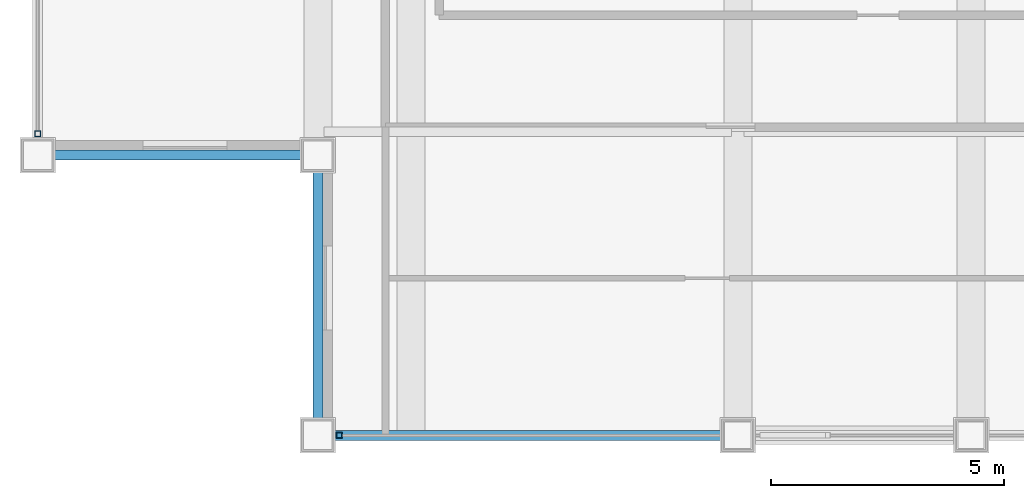
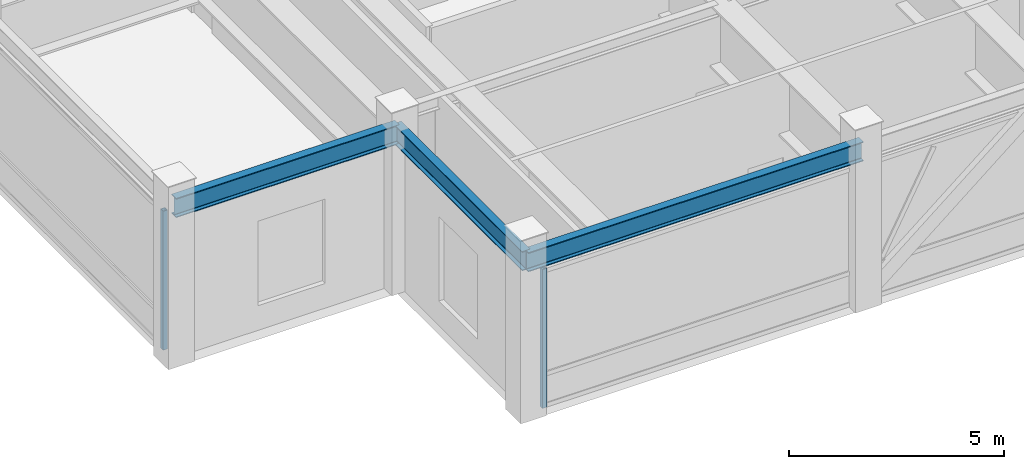
# One storey, part 2 of 29: 3 beams, 2 members, 2 elements without a shape of their own.
"""IFC4 building model written with IfcOpenShell, lengths in metres."""

from ifc_helpers import new_model, si_unit, direction, frame, origin, origin_2d, place, context, subcontext, project, spatial, hollow_rectangle, i_section, extrude, source, transform, mapped, material, material_profile, profile_set, type_object, element, aggregate, save


model = new_model("IFC4")

# Units and contexts
model_context = context("Model", 3, precision=1e-05, world=origin(), true_north=direction((0.0, 1.0)))
body_context = subcontext(model_context, "Body", "Model", "MODEL_VIEW")
ifc_project = project(units=[si_unit("LENGTHUNIT", "METRE"), si_unit("AREAUNIT", "SQUARE_METRE"), si_unit("VOLUMEUNIT", "CUBIC_METRE"), si_unit("PLANEANGLEUNIT", "RADIAN"), si_unit("MASSUNIT", "GRAM", prefix="KILO")], contexts=[model_context])

# Site, building, storey
site_placement = place(None, origin())
site = spatial("IfcSite", under=ifc_project, at=site_placement, CompositionType="ELEMENT")
building_placement = place(site_placement, origin())
building = spatial("IfcBuilding", under=site, at=building_placement, Name="Khorayat Bourse Tower", CompositionType="ELEMENT")
storey_placement = place(building_placement, frame((0.0, 0.0, 370.300048828125)))
storey = spatial("IfcBuildingStorey", under=building, at=storey_placement, Name="L88", CompositionType="ELEMENT", Elevation=370.300048828125)

# Beams
ifc_material_1 = material(Name="Steel ASTM A992 Grade 50", Category="steel")
ifc_material_profile_1 = material_profile(ifc_material_1, i_section(OverallWidth=0.214111328125, OverallDepth=0.549072265625, WebThickness=0.0146484375, FlangeThickness=0.023681640625, FilletRadius=0.013916015625, at=origin_2d()), Name="W530X138")
ifc_profile_set_1 = profile_set([ifc_material_profile_1], Name="Steel ASTM A992 Grade 50")
beam_type = type_object("IfcBeamType", Name="BM-SPAN-530", PredefinedType="SPANDREL", material=ifc_profile_set_1)
shared_shape_1 = source(origin(), body_context, "Body", "SweptSolid", [
    extrude(i_section(OverallWidth=0.214111328125, OverallDepth=0.549072265625, WebThickness=0.0146484375, FlangeThickness=0.023681640625, FilletRadius=0.013916015625, at=origin_2d()), origin(), (0.0, 0.0, 1.0), 9.0),
])
beam_placement = place(storey_placement, frame((-20.0, -26.0, 4.325439453125), z_axis=(1.0, 0.0, 0.0), x_axis=(0.0, 1.0, 0.0)))
element("IfcBeam", 1, at=beam_placement, inside=storey, type_object=beam_type, Name="L88 BM-SPAN-530 BM-L88-SPN-024", PredefinedType="SPANDREL", context=body_context, shape_type="MappedRepresentation", body=[
    mapped(shared_shape_1, transform((0.0, 0.0, 0.0), scale=1.0)),
])
shared_shape_2 = source(origin(), body_context, "Body", "SweptSolid", [
    extrude(i_section(OverallWidth=0.214111328125, OverallDepth=0.549072265625, WebThickness=0.0146484375, FlangeThickness=0.023681640625, FilletRadius=0.013916015625, at=origin_2d()), origin(), (0.0, 0.0, 1.0), 6.0),
])
for number, where, z_axis, x_axis, name in (
    (2, (-26.0, -20.0, 4.325439453125), (1.0, 0.0, 0.0), (0.0, 1.0, 0.0), "L88 BM-SPAN-530 BM-L88-SPN-054"),
    (3, (-20.0, -26.0, 4.325439453125), (0.0, 1.0, 0.0), (-1.0, 0.0, 0.0), "L88 BM-SPAN-530 BM-L88-SPN-055"),
):
    element("IfcBeam", number, at=place(storey_placement, frame(where, z_axis=z_axis, x_axis=x_axis)), inside=storey, type_object=beam_type, Name=name, PredefinedType="SPANDREL", context=body_context, shape_type="MappedRepresentation", body=[
        mapped(shared_shape_2, transform((0.0, 0.0, 0.0), scale=1.0)),
    ])

# Curtain wall, member
ifc_material_2 = material(Name="Aluminium EN AW-6063 T6", Category="aluminium")
curtain_wall_type = type_object("IfcCurtainWallType", Name="CW-SYS-04", PredefinedType="NOTDEFINED", material=ifc_material_2)
curtain_wall_1_placement = place(storey_placement, origin())
curtain_wall_1 = element("IfcCurtainWall", 4, at=curtain_wall_1_placement, inside=storey, type_object=curtain_wall_type, Name="L88 Curtain Wall CW-L88-S1", PredefinedType="NOTDEFINED")
ifc_material_profile_2 = material_profile(ifc_material_2, hollow_rectangle(XDim=0.1201171875, YDim=0.1201171875, WallThickness=0.0048828125, at=origin_2d()), Name="ALU 120x120x5")
ifc_profile_set_2 = profile_set([ifc_material_profile_2], Name="Aluminium EN AW-6063 T6")
member_type = type_object("IfcMemberType", Name="CWM-VERT-120", PredefinedType="MULLION", material=ifc_profile_set_2)
shared_shape_3 = source(origin(), body_context, "Body", "SweptSolid", [
    extrude(hollow_rectangle(XDim=0.1201171875, YDim=0.1201171875, WallThickness=0.0048828125, at=origin_2d()), origin(), (0.0, 0.0, 1.0), 3.949951171875),
])
member_1_placement = place(storey_placement, frame((-19.5400390625, -26.0, 0.0), z_axis=(0.0, 0.0, 1.0), x_axis=(0.0, 1.0, 0.0)))
member_1 = element("IfcMember", 5, at=member_1_placement, type_object=member_type, Name="CW-L88-S1 Vertical Mullion 1", PredefinedType="MULLION", context=body_context, shape_type="MappedRepresentation", body=[
    mapped(shared_shape_3, transform((0.0, 0.0, 0.0), scale=1.0)),
])
aggregate(curtain_wall_1, [member_1])

curtain_wall_2_placement = place(storey_placement, origin())
curtain_wall_2 = element("IfcCurtainWall", 6, at=curtain_wall_2_placement, inside=storey, type_object=curtain_wall_type, Name="L88 Curtain Wall CW-L88-W1", PredefinedType="NOTDEFINED")
member_2_placement = place(storey_placement, frame((-26.0, -19.5400390625, 0.0), z_axis=(0.0, 0.0, 1.0), x_axis=(-1.0, 0.0, 0.0)))
member_2 = element("IfcMember", 7, at=member_2_placement, type_object=member_type, Name="CW-L88-W1 Vertical Mullion 1", PredefinedType="MULLION", context=body_context, shape_type="MappedRepresentation", body=[
    mapped(shared_shape_3, transform((0.0, 0.0, 0.0), scale=1.0)),
])
aggregate(curtain_wall_2, [member_2])

save(model, "model.ifc")
